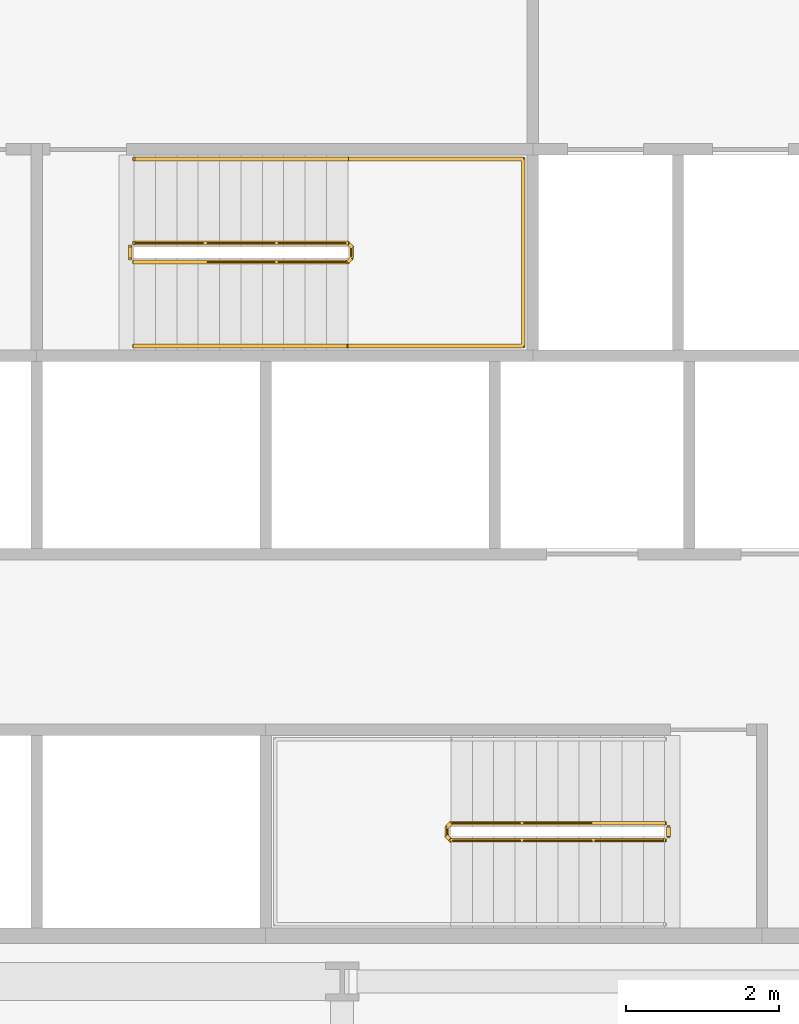
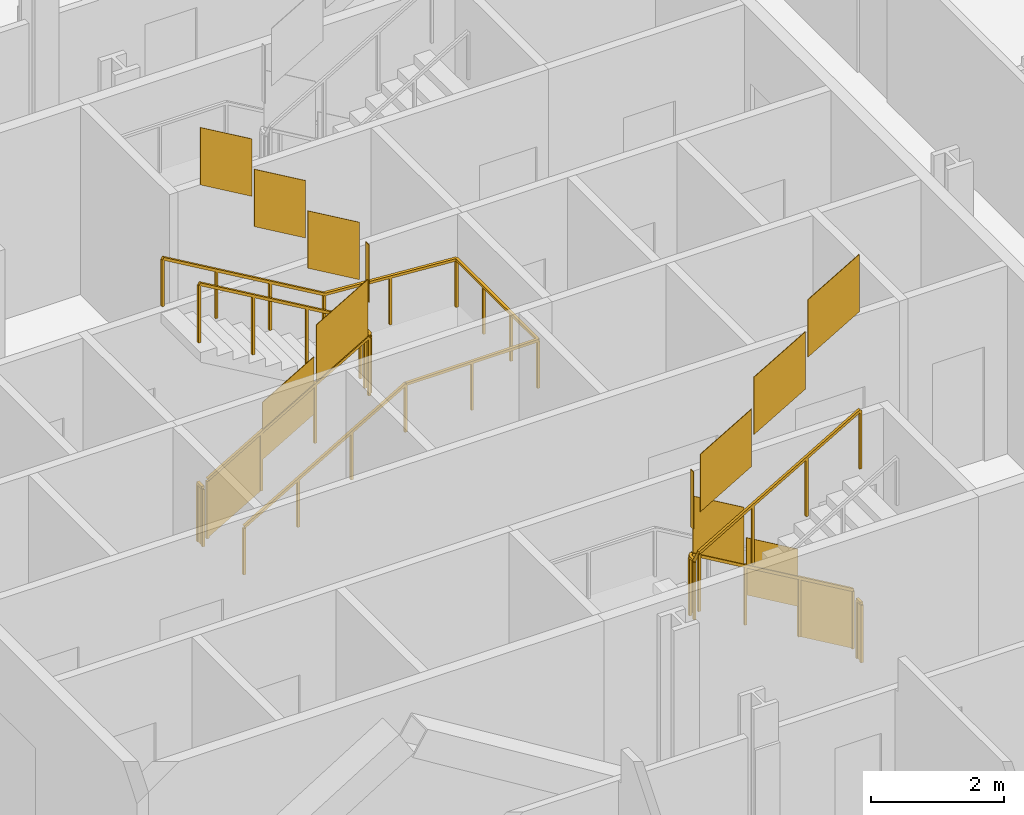
# One storey, part 15 of 18: 5 railings.
"""IFC4 building model written with IfcOpenShell, lengths in metres."""

from ifc_helpers import new_model, si_unit, direction, frame, origin, origin_2d, place, context, subcontext, project, spatial, polyline, rectangle, outline, extrude, material, type_object, element, save


model = new_model("IFC4")

# Units and contexts
model_context = context("Model", 3, precision=1e-05, world=origin(), true_north=direction((0.0, 1.0)))
body_context = subcontext(model_context, "Body", "Model", "MODEL_VIEW")
ifc_project = project(units=[si_unit("LENGTHUNIT", "METRE"), si_unit("AREAUNIT", "SQUARE_METRE"), si_unit("VOLUMEUNIT", "CUBIC_METRE"), si_unit("PLANEANGLEUNIT", "RADIAN"), si_unit("MASSUNIT", "GRAM", prefix="KILO")], contexts=[model_context])

# Site, building, storey
site_placement = place(None, origin())
site = spatial("IfcSite", under=ifc_project, at=site_placement, CompositionType="ELEMENT")
building_placement = place(site_placement, origin())
building = spatial("IfcBuilding", under=site, at=building_placement, Name="Cairn Pilgrim Tower", CompositionType="ELEMENT")
storey_placement = place(building_placement, frame((0.0, 0.0, 76.199951171875)))
storey = spatial("IfcBuildingStorey", under=building, at=storey_placement, Name="L17", CompositionType="ELEMENT", Elevation=76.199951171875)

# Railings
ifc_material = material(Name="Painted steel", Category="steel")
railing_type_1 = type_object("IfcRailingType", Name="STAIR GUARD 1100", PredefinedType="GUARDRAIL", material=ifc_material)
railing_1_placement = place(storey_placement, frame((11.425048828125, -3.925048828125, 0.16357421875)))
element("IfcRailing", 1, at=railing_1_placement, inside=storey, type_object=railing_type_1, Name="L17 ST-A stair guard 1", PredefinedType="GUARDRAIL", context=body_context, shape_type="SweptSolid", body=[
    extrude(rectangle(XDim=0.048095703125, YDim=0.048095703125, at=origin_2d()), frame((0.0, 0.0, 1.076171875), z_axis=(-0.863360870873, 0.0, 0.504586966384), x_axis=(0.0, -1.0, 0.0)), (0.0, 0.0, 1.0), 3.2431640625),
    extrude(rectangle(XDim=0.048095703125, YDim=0.048095703125, at=origin_2d()), frame((-2.800048828125, 0.0, 2.71240234375), z_axis=(-0.707106781187, -0.707106781187, 0.0), x_axis=(0.707106781187, -0.707106781187, 0.0)), (0.0, 0.0, 1.0), 0.07080078125),
    extrude(rectangle(XDim=0.048095703125, YDim=0.048095703125, at=origin_2d()), frame((-2.85009765625, -0.050048828125, 2.71240234375), z_axis=(0.0, -1.0, 0.0), x_axis=(1.0, 0.0, 0.0)), (0.0, 0.0, 1.0), 0.125),
    extrude(rectangle(XDim=0.048095703125, YDim=0.048095703125, at=origin_2d()), frame((-2.85009765625, -0.175048828125, 2.71240234375), z_axis=(0.280916556609, -0.279546231943, 0.91811752648), x_axis=(0.705375805398, 0.708833529934, 0.0)), (0.0, 0.0, 1.0), 0.17822265625),
    extrude(rectangle(XDim=0.048095703125, YDim=0.048095703125, at=origin_2d()), frame((-2.800048828125, -0.224853515625, 2.8759765625), z_axis=(0.863360870873, 0.0, 0.504586966384), x_axis=(0.0, 1.0, 0.0)), (0.0, 0.0, 1.0), 3.2431640625),
    extrude(rectangle(XDim=0.0419921875, YDim=0.0419921875, at=origin_2d()), origin(), (0.0, 0.0, 1.0), 1.052001953125),
    extrude(rectangle(XDim=0.0419921875, YDim=0.0419921875, at=origin_2d()), frame((-0.933349609375, 0.0, 0.54541015625)), (0.0, 0.0, 1.0), 1.052001953125),
    extrude(rectangle(XDim=0.0419921875, YDim=0.0419921875, at=origin_2d()), frame((-1.86669921875, 0.0, 1.091064453125)), (0.0, 0.0, 1.0), 1.052001953125),
    extrude(rectangle(XDim=0.0419921875, YDim=0.0419921875, at=origin_2d()), frame((-2.800048828125, 0.0, 1.636474609375)), (0.0, 0.0, 1.0), 1.052001953125),
    extrude(rectangle(XDim=0.0419921875, YDim=0.0419921875, at=origin_2d()), frame((-2.85009765625, -0.050048828125, 1.636474609375)), (0.0, 0.0, 1.0), 1.052001953125),
    extrude(rectangle(XDim=0.0419921875, YDim=0.0419921875, at=origin_2d()), frame((-2.85009765625, -0.175048828125, 1.636474609375)), (0.0, 0.0, 1.0), 1.052001953125),
    extrude(rectangle(XDim=0.0419921875, YDim=0.0419921875, at=origin_2d()), frame((-2.800048828125, -0.224853515625, 1.800048828125)), (0.0, 0.0, 1.0), 1.052001953125),
    extrude(rectangle(XDim=0.0419921875, YDim=0.0419921875, at=origin_2d()), frame((-1.86669921875, -0.224853515625, 2.345458984375)), (0.0, 0.0, 1.0), 1.052001953125),
    extrude(rectangle(XDim=0.0419921875, YDim=0.0419921875, at=origin_2d()), frame((-0.933349609375, -0.224853515625, 2.89111328125)), (0.0, 0.0, 1.0), 1.052001953125),
    extrude(rectangle(XDim=0.0419921875, YDim=0.0419921875, at=origin_2d()), frame((0.0, -0.224853515625, 3.4365234375)), (0.0, 0.0, 1.0), 1.052001953125),
    extrude(outline(polyline([(0.02099609375, 0.01220703125), (0.912353515625, 0.533203125), (0.912353515625, 1.585205078125), (0.02099609375, 1.064208984375), (0.02099609375, 0.01220703125)])), frame((0.0, -0.005859375, 0.0), z_axis=(0.0, 1.0, 0.0), x_axis=(-1.0, 0.0, 0.0)), (0.0, 0.0, 1.0), 0.011962890625),
    extrude(outline(polyline([(0.02099609375, 0.557861328125), (0.912353515625, 1.07861328125), (0.912353515625, 2.130615234375), (0.02099609375, 1.60986328125), (0.02099609375, 0.557861328125)])), frame((-0.933349609375, -0.005859375, 0.54541015625), z_axis=(0.0, 1.0, 0.0), x_axis=(-1.0, 0.0, 0.0)), (0.0, 0.0, 1.0), 0.011962890625),
    extrude(outline(polyline([(0.02099609375, 1.103271484375), (0.912353515625, 1.624267578125), (0.912353515625, 2.67626953125), (0.02099609375, 2.1552734375), (0.02099609375, 1.103271484375)])), frame((-1.86669921875, -0.005859375, 1.091064453125), z_axis=(0.0, 1.0, 0.0), x_axis=(-1.0, 0.0, 0.0)), (0.0, 0.0, 1.0), 0.011962890625),
    extrude(outline(polyline([(0.02099609375, 1.636474609375), (0.10400390625, 1.636474609375), (0.10400390625, 2.6884765625), (0.02099609375, 2.6884765625), (0.02099609375, 1.636474609375)])), frame((-2.84423828125, -0.050048828125, 1.636474609375), z_axis=(-1.0, 0.0, 0.0), x_axis=(0.0, -1.0, 0.0)), (0.0, 0.0, 1.0), 0.011962890625),
    extrude(outline(polyline([(0.02099609375, 1.812255859375), (0.912353515625, 2.333251953125), (0.912353515625, 3.38525390625), (0.02099609375, 2.8642578125), (0.02099609375, 1.812255859375)])), frame((-2.800048828125, -0.21875, 1.800048828125), z_axis=(0.0, -1.0, 0.0), x_axis=(1.0, 0.0, 0.0)), (0.0, 0.0, 1.0), 0.011962890625),
    extrude(outline(polyline([(0.02099609375, 2.35791015625), (0.912353515625, 2.878662109375), (0.912353515625, 3.9306640625), (0.02099609375, 3.409912109375), (0.02099609375, 2.35791015625)])), frame((-1.86669921875, -0.21875, 2.345458984375), z_axis=(0.0, -1.0, 0.0), x_axis=(1.0, 0.0, 0.0)), (0.0, 0.0, 1.0), 0.011962890625),
    extrude(outline(polyline([(0.02099609375, 2.9033203125), (0.912353515625, 3.42431640625), (0.912353515625, 4.476318359375), (0.02099609375, 3.955322265625), (0.02099609375, 2.9033203125)])), frame((-0.933349609375, -0.21875, 2.89111328125), z_axis=(0.0, -1.0, 0.0), x_axis=(1.0, 0.0, 0.0)), (0.0, 0.0, 1.0), 0.011962890625),
])
railing_2_placement = place(storey_placement, frame((11.47509765625, -3.97509765625, 0.0)))
element("IfcRailing", 2, at=railing_2_placement, inside=storey, type_object=railing_type_1, Name="L17 ST-A stair guard 2", PredefinedType="GUARDRAIL", context=body_context, shape_type="SweptSolid", body=[
    extrude(rectangle(XDim=0.048095703125, YDim=0.048095703125, at=origin_2d()), frame((0.0, 0.0, 1.076171875), z_axis=(0.0, -1.0, 0.0), x_axis=(1.0, 0.0, 0.0)), (0.0, 0.0, 1.0), 0.125),
    extrude(rectangle(XDim=0.0419921875, YDim=0.0419921875, at=origin_2d()), origin(), (0.0, 0.0, 1.0), 1.052001953125),
    extrude(rectangle(XDim=0.0419921875, YDim=0.0419921875, at=origin_2d()), frame((0.0, -0.125, 0.0)), (0.0, 0.0, 1.0), 1.052001953125),
    extrude(outline(polyline([(0.02099609375, 0.0), (0.10400390625, 0.0), (0.10400390625, 1.052001953125), (0.02099609375, 1.052001953125), (0.02099609375, 0.0)])), frame((0.005859375, 0.0, 0.0), z_axis=(-1.0, 0.0, 0.0), x_axis=(0.0, -1.0, 0.0)), (0.0, 0.0, 1.0), 0.011962890625),
])
railing_3_placement = place(storey_placement, frame((4.47509765625, 3.425048828125, 0.16357421875)))
element("IfcRailing", 3, at=railing_3_placement, inside=storey, type_object=railing_type_1, Name="L17 ST-B stair guard 1", PredefinedType="GUARDRAIL", context=body_context, shape_type="SweptSolid", body=[
    extrude(rectangle(XDim=0.048095703125, YDim=0.048095703125, at=origin_2d()), frame((0.0, 0.0, 1.076171875), z_axis=(0.863341702679, 0.0, 0.504619762213), x_axis=(0.0, 1.0, 0.0)), (0.0, 0.0, 1.0), 3.242919921875),
    extrude(rectangle(XDim=0.048095703125, YDim=0.048095703125, at=origin_2d()), frame((2.7998046875, 0.0, 2.71240234375), z_axis=(0.707106781187, 0.707106781187, 0.0), x_axis=(-0.707106781187, 0.707106781187, 0.0)), (0.0, 0.0, 1.0), 0.07080078125),
    extrude(rectangle(XDim=0.048095703125, YDim=0.048095703125, at=origin_2d()), frame((2.849853515625, 0.050048828125, 2.71240234375), z_axis=(0.0, 1.0, 0.0), x_axis=(-1.0, 0.0, 0.0)), (0.0, 0.0, 1.0), 0.14990234375),
    extrude(rectangle(XDim=0.048095703125, YDim=0.048095703125, at=origin_2d()), frame((2.849853515625, 0.199951171875, 2.71240234375), z_axis=(-0.280808744504, 0.280808744504, 0.917765164963), x_axis=(-0.707106781187, -0.707106781187, 0.0)), (0.0, 0.0, 1.0), 0.17822265625),
    extrude(rectangle(XDim=0.048095703125, YDim=0.048095703125, at=origin_2d()), frame((2.7998046875, 0.25, 2.8759765625), z_axis=(-0.863341702679, 0.0, 0.504619762213), x_axis=(0.0, -1.0, 0.0)), (0.0, 0.0, 1.0), 3.242919921875),
    extrude(rectangle(XDim=0.0419921875, YDim=0.0419921875, at=origin_2d()), origin(), (0.0, 0.0, 1.0), 1.052001953125),
    extrude(rectangle(XDim=0.0419921875, YDim=0.0419921875, at=origin_2d()), frame((0.933349609375, 0.0, 0.54541015625)), (0.0, 0.0, 1.0), 1.052001953125),
    extrude(rectangle(XDim=0.0419921875, YDim=0.0419921875, at=origin_2d()), frame((1.866455078125, 0.0, 1.091064453125)), (0.0, 0.0, 1.0), 1.052001953125),
    extrude(rectangle(XDim=0.0419921875, YDim=0.0419921875, at=origin_2d()), frame((2.7998046875, 0.0, 1.636474609375)), (0.0, 0.0, 1.0), 1.052001953125),
    extrude(rectangle(XDim=0.0419921875, YDim=0.0419921875, at=origin_2d()), frame((2.849853515625, 0.050048828125, 1.636474609375)), (0.0, 0.0, 1.0), 1.052001953125),
    extrude(rectangle(XDim=0.0419921875, YDim=0.0419921875, at=origin_2d()), frame((2.849853515625, 0.199951171875, 1.636474609375)), (0.0, 0.0, 1.0), 1.052001953125),
    extrude(rectangle(XDim=0.0419921875, YDim=0.0419921875, at=origin_2d()), frame((2.7998046875, 0.25, 1.800048828125)), (0.0, 0.0, 1.0), 1.052001953125),
    extrude(rectangle(XDim=0.0419921875, YDim=0.0419921875, at=origin_2d()), frame((1.866455078125, 0.25, 2.345458984375)), (0.0, 0.0, 1.0), 1.052001953125),
    extrude(rectangle(XDim=0.0419921875, YDim=0.0419921875, at=origin_2d()), frame((0.933349609375, 0.25, 2.89111328125)), (0.0, 0.0, 1.0), 1.052001953125),
    extrude(rectangle(XDim=0.0419921875, YDim=0.0419921875, at=origin_2d()), frame((0.0, 0.25, 3.4365234375)), (0.0, 0.0, 1.0), 1.052001953125),
    extrude(outline(polyline([(0.02099609375, 0.01220703125), (0.912353515625, 0.533203125), (0.912353515625, 1.585205078125), (0.02099609375, 1.064208984375), (0.02099609375, 0.01220703125)])), frame((0.0, 0.005859375, 0.0), z_axis=(0.0, -1.0, 0.0), x_axis=(1.0, 0.0, 0.0)), (0.0, 0.0, 1.0), 0.011962890625),
    extrude(outline(polyline([(0.02099609375, 0.557861328125), (0.912353515625, 1.07861328125), (0.912353515625, 2.130615234375), (0.02099609375, 1.60986328125), (0.02099609375, 0.557861328125)])), frame((0.933349609375, 0.005859375, 0.54541015625), z_axis=(0.0, -1.0, 0.0), x_axis=(1.0, 0.0, 0.0)), (0.0, 0.0, 1.0), 0.011962890625),
    extrude(outline(polyline([(0.02099609375, 1.103271484375), (0.912353515625, 1.624267578125), (0.912353515625, 2.67626953125), (0.02099609375, 2.1552734375), (0.02099609375, 1.103271484375)])), frame((1.866455078125, 0.005859375, 1.091064453125), z_axis=(0.0, -1.0, 0.0), x_axis=(1.0, 0.0, 0.0)), (0.0, 0.0, 1.0), 0.011962890625),
    extrude(outline(polyline([(0.02099609375, 1.636474609375), (0.12890625, 1.636474609375), (0.12890625, 2.6884765625), (0.02099609375, 2.6884765625), (0.02099609375, 1.636474609375)])), frame((2.84375, 0.050048828125, 1.636474609375), z_axis=(1.0, 0.0, 0.0), x_axis=(0.0, 1.0, 0.0)), (0.0, 0.0, 1.0), 0.011962890625),
    extrude(outline(polyline([(0.02099609375, 1.812255859375), (0.912353515625, 2.333251953125), (0.912353515625, 3.38525390625), (0.02099609375, 2.8642578125), (0.02099609375, 1.812255859375)])), frame((2.7998046875, 0.244140625, 1.800048828125), z_axis=(0.0, 1.0, 0.0), x_axis=(-1.0, 0.0, 0.0)), (0.0, 0.0, 1.0), 0.011962890625),
    extrude(outline(polyline([(0.02099609375, 2.35791015625), (0.912353515625, 2.878662109375), (0.912353515625, 3.9306640625), (0.02099609375, 3.409912109375), (0.02099609375, 2.35791015625)])), frame((1.866455078125, 0.244140625, 2.345458984375), z_axis=(0.0, 1.0, 0.0), x_axis=(-1.0, 0.0, 0.0)), (0.0, 0.0, 1.0), 0.011962890625),
    extrude(outline(polyline([(0.02099609375, 2.9033203125), (0.912353515625, 3.42431640625), (0.912353515625, 4.476318359375), (0.02099609375, 3.955322265625), (0.02099609375, 2.9033203125)])), frame((0.933349609375, 0.244140625, 2.89111328125), z_axis=(0.0, 1.0, 0.0), x_axis=(-1.0, 0.0, 0.0)), (0.0, 0.0, 1.0), 0.011962890625),
])
railing_4_placement = place(storey_placement, frame((4.425048828125, 3.47509765625, 0.0)))
element("IfcRailing", 4, at=railing_4_placement, inside=storey, type_object=railing_type_1, Name="L17 ST-B stair guard 2", PredefinedType="GUARDRAIL", context=body_context, shape_type="SweptSolid", body=[
    extrude(rectangle(XDim=0.048095703125, YDim=0.048095703125, at=origin_2d()), frame((0.0, 0.0, 1.076171875), z_axis=(0.0, 1.0, 0.0), x_axis=(-1.0, 0.0, 0.0)), (0.0, 0.0, 1.0), 0.14990234375),
    extrude(rectangle(XDim=0.0419921875, YDim=0.0419921875, at=origin_2d()), origin(), (0.0, 0.0, 1.0), 1.052001953125),
    extrude(rectangle(XDim=0.0419921875, YDim=0.0419921875, at=origin_2d()), frame((0.0, 0.14990234375, 0.0)), (0.0, 0.0, 1.0), 1.052001953125),
    extrude(outline(polyline([(0.02099609375, 0.0), (0.12890625, 0.0), (0.12890625, 1.052001953125), (0.02099609375, 1.052001953125), (0.02099609375, 0.0)])), frame((-0.005859375, 0.0, 0.0), z_axis=(1.0, 0.0, 0.0), x_axis=(0.0, 1.0, 0.0)), (0.0, 0.0, 1.0), 0.011962890625),
])
railing_type_2 = type_object("IfcRailingType", Name="STAIR HANDRAIL 900", PredefinedType="HANDRAIL", material=ifc_material)
railing_5_placement = place(storey_placement, frame((4.47509765625, 2.324951171875, 0.16357421875)))
element("IfcRailing", 5, at=railing_5_placement, inside=storey, type_object=railing_type_2, Name="L17 ST-B stair handrail 1", PredefinedType="HANDRAIL", context=body_context, shape_type="SweptSolid", body=[
    extrude(rectangle(XDim=0.048095703125, YDim=0.048095703125, at=origin_2d()), frame((0.0, 0.0, 0.8759765625), z_axis=(0.863341702679, 0.0, 0.504619762213), x_axis=(0.0, 1.0, 0.0)), (0.0, 0.0, 1.0), 3.242919921875),
    extrude(rectangle(XDim=0.048095703125, YDim=0.048095703125, at=origin_2d()), frame((2.7998046875, 0.0, 2.51220703125), z_axis=(1.0, 0.0, 0.0), x_axis=(0.0, 1.0, 0.0)), (0.0, 0.0, 1.0), 2.300048828125),
    extrude(rectangle(XDim=0.048095703125, YDim=0.048095703125, at=origin_2d()), frame((5.099853515625, 0.0, 2.51220703125), z_axis=(0.0, 1.0, 0.0), x_axis=(-1.0, 0.0, 0.0)), (0.0, 0.0, 1.0), 2.449951171875),
    extrude(rectangle(XDim=0.048095703125, YDim=0.048095703125, at=origin_2d()), frame((5.099853515625, 2.449951171875, 2.51220703125), z_axis=(-0.997480687736, 0.0, 0.070938548008), x_axis=(0.0, -1.0, 0.0)), (0.0, 0.0, 1.0), 2.305908203125),
    extrude(rectangle(XDim=0.048095703125, YDim=0.048095703125, at=origin_2d()), frame((2.7998046875, 2.449951171875, 2.67578125), z_axis=(-0.863341702679, 0.0, 0.504619762213), x_axis=(0.0, -1.0, 0.0)), (0.0, 0.0, 1.0), 3.242919921875),
    extrude(rectangle(XDim=0.0419921875, YDim=0.0419921875, at=origin_2d()), origin(), (0.0, 0.0, 1.0), 0.851806640625),
    extrude(rectangle(XDim=0.0419921875, YDim=0.0419921875, at=origin_2d()), frame((0.933349609375, 0.0, 0.54541015625)), (0.0, 0.0, 1.0), 0.851806640625),
    extrude(rectangle(XDim=0.0419921875, YDim=0.0419921875, at=origin_2d()), frame((1.866455078125, 0.0, 1.091064453125)), (0.0, 0.0, 1.0), 0.851806640625),
    extrude(rectangle(XDim=0.0419921875, YDim=0.0419921875, at=origin_2d()), frame((2.7998046875, 0.0, 1.636474609375)), (0.0, 0.0, 1.0), 0.851806640625),
    extrude(rectangle(XDim=0.0419921875, YDim=0.0419921875, at=origin_2d()), frame((3.94970703125, 0.0, 1.636474609375)), (0.0, 0.0, 1.0), 0.851806640625),
    extrude(rectangle(XDim=0.0419921875, YDim=0.0419921875, at=origin_2d()), frame((5.099853515625, 0.0, 1.636474609375)), (0.0, 0.0, 1.0), 0.851806640625),
    extrude(rectangle(XDim=0.0419921875, YDim=0.0419921875, at=origin_2d()), frame((5.099853515625, 0.816650390625, 1.636474609375)), (0.0, 0.0, 1.0), 0.851806640625),
    extrude(rectangle(XDim=0.0419921875, YDim=0.0419921875, at=origin_2d()), frame((5.099853515625, 1.63330078125, 1.636474609375)), (0.0, 0.0, 1.0), 0.851806640625),
    extrude(rectangle(XDim=0.0419921875, YDim=0.0419921875, at=origin_2d()), frame((5.099853515625, 2.449951171875, 1.636474609375)), (0.0, 0.0, 1.0), 0.851806640625),
    extrude(rectangle(XDim=0.0419921875, YDim=0.0419921875, at=origin_2d()), frame((3.94970703125, 2.449951171875, 1.71826171875)), (0.0, 0.0, 1.0), 0.851806640625),
    extrude(rectangle(XDim=0.0419921875, YDim=0.0419921875, at=origin_2d()), frame((2.7998046875, 2.449951171875, 1.800048828125)), (0.0, 0.0, 1.0), 0.851806640625),
    extrude(rectangle(XDim=0.0419921875, YDim=0.0419921875, at=origin_2d()), frame((1.866455078125, 2.449951171875, 2.345458984375)), (0.0, 0.0, 1.0), 0.851806640625),
    extrude(rectangle(XDim=0.0419921875, YDim=0.0419921875, at=origin_2d()), frame((0.933349609375, 2.449951171875, 2.89111328125)), (0.0, 0.0, 1.0), 0.851806640625),
    extrude(rectangle(XDim=0.0419921875, YDim=0.0419921875, at=origin_2d()), frame((0.0, 2.449951171875, 3.4365234375)), (0.0, 0.0, 1.0), 0.851806640625),
])

save(model, "model.ifc")
